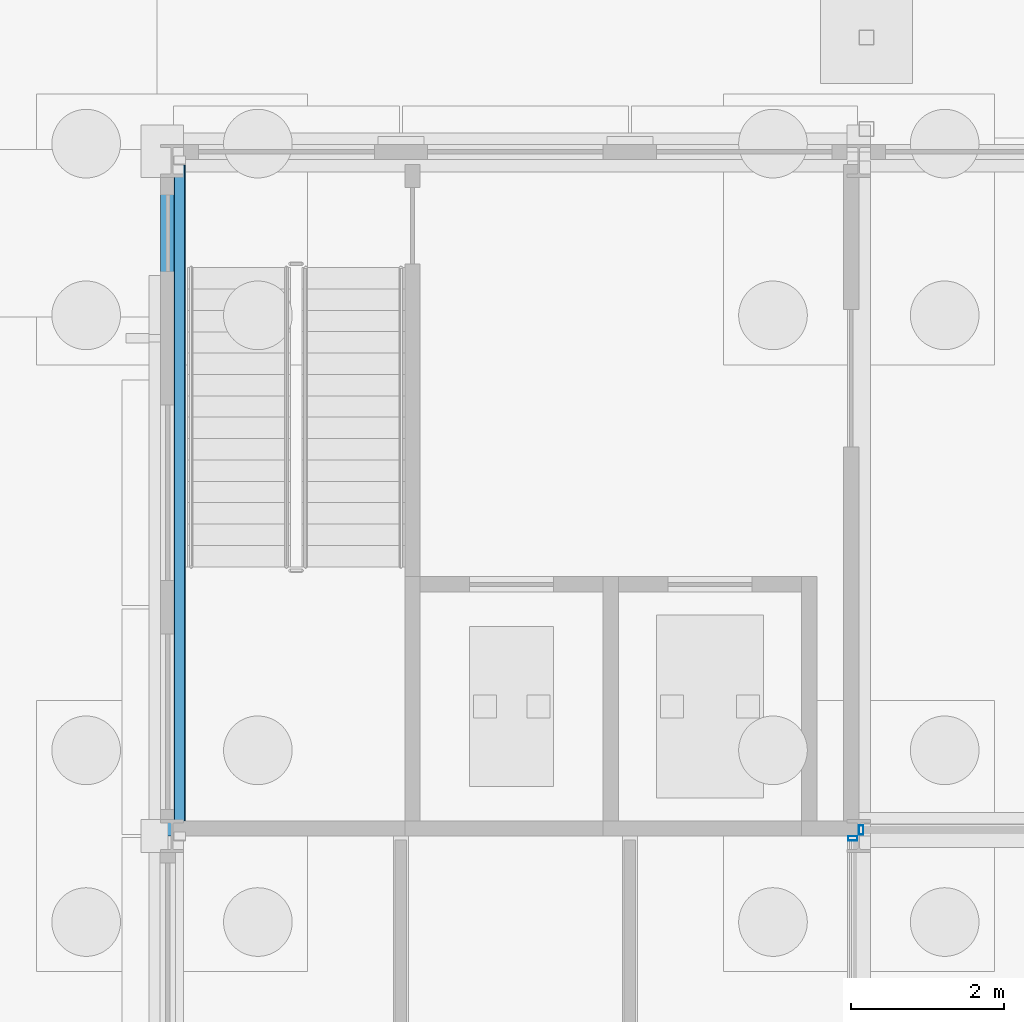
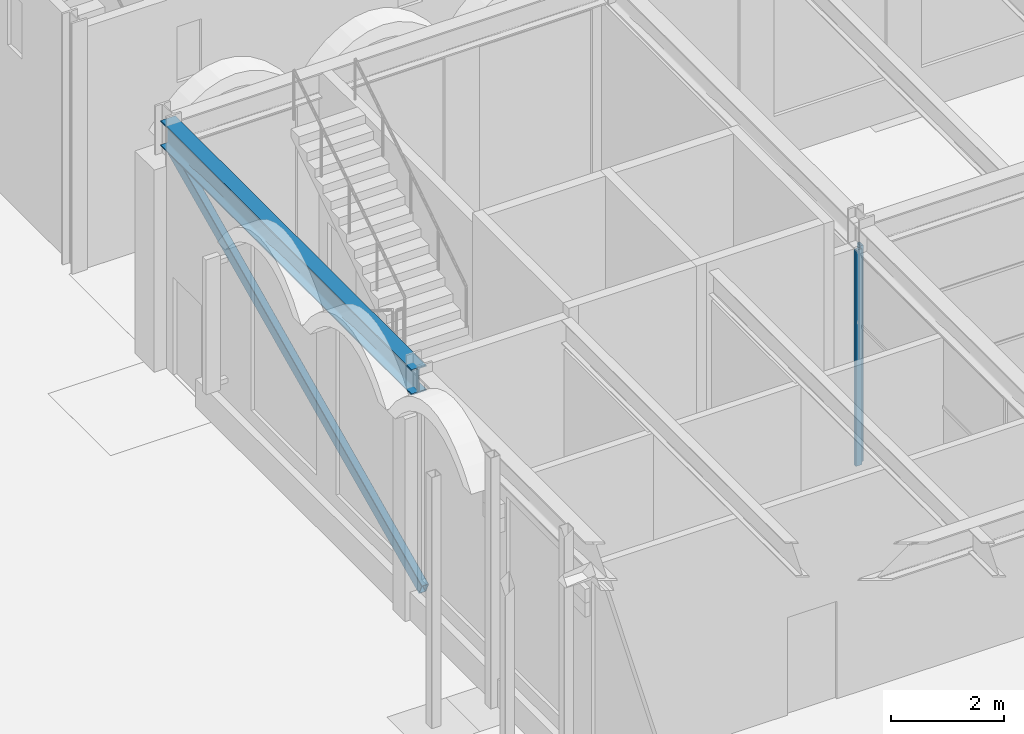
# One storey, part 42 of 126: 3 members, 1 beam, 2 elements without a shape of their own.
"""IFC4 building model written with IfcOpenShell, lengths in metres."""

import ifcopenshell
import ifcopenshell.guid

model = None  # the IFC model being written
_history = None  # IfcOwnerHistory: only IFC2X3 demands one
_inside = {}  # id of a spatial element -> (the spatial element, [elements in it])
_under = {}  # id of a project, library or spatial element -> (it, [spatial elements below it])
_declared = {}  # id of a project -> (the project, [libraries it declares])
_typed = {}  # id of a type object -> (the type object, [elements of that type])
_made_of = {}  # id of a material, layer set ... -> (it, [elements and type objects made of it])


def new_model(schema):
    """Start an empty IFC model of exactly this schema.

    Asked for "IFC4X3", IfcOpenShell would pick the latest addendum, in which some entities
    have other attributes; the version numbers below select the first issue.
    IFC2X3 requires an IfcOwnerHistory on every rooted entity: one is made here for all.
    """
    global model, _history
    if schema == "IFC4X3":
        model = ifcopenshell.file(schema_version=(4, 3, 0, 0))
    else:
        model = ifcopenshell.file(schema=schema)
    _inside.clear()
    _under.clear()
    _declared.clear()
    _typed.clear()
    _made_of.clear()
    _history = None
    if model.schema == "IFC2X3":
        org = make("IfcOrganization", Name="unknown")
        user = make(
            "IfcPersonAndOrganization",
            ThePerson=make("IfcPerson", FamilyName="unknown"),
            TheOrganization=org,
        )
        app = make(
            "IfcApplication",
            ApplicationDeveloper=org,
            Version="unknown",
            ApplicationFullName="unknown",
            ApplicationIdentifier="unknown",
        )
        _history = make(
            "IfcOwnerHistory",
            OwningUser=user,
            OwningApplication=app,
            ChangeAction="ADDED",
            CreationDate=0,
        )
    return model


def make(cls, **values):
    """One entity of the class cls with the attributes given. An attribute that is None is left unset."""
    return model.create_entity(
        cls, **{name: value for name, value in values.items() if value is not None}
    )


def rooted(cls, **values):
    """An entity with a GlobalId (a new one), such as an element, a storey or a relation."""
    return make(cls, GlobalId=ifcopenshell.guid.new(), OwnerHistory=_history, **values)


def si_unit(unit_type, name, prefix=None):
    """IfcSIUnit, for example si_unit("LENGTHUNIT", "METRE", prefix="MILLI")."""
    return make("IfcSIUnit", UnitType=unit_type, Prefix=prefix, Name=name)


def assignment(units):
    """IfcUnitAssignment: the units of a project."""
    return None if units is None else make("IfcUnitAssignment", Units=units)


def point(xyz):
    """IfcCartesianPoint."""
    return None if xyz is None else make("IfcCartesianPoint", Coordinates=xyz)


def direction(xyz):
    """IfcDirection."""
    return None if xyz is None else make("IfcDirection", DirectionRatios=xyz)


def frame(location, z_axis=None, x_axis=None):
    """IfcAxis2Placement3D, a coordinate frame: its origin and axes. An axis left out is left unset."""
    return make(
        "IfcAxis2Placement3D",
        Location=point(location),
        Axis=direction(z_axis),
        RefDirection=direction(x_axis),
    )


def frame_2d(location, x_axis=None):
    """IfcAxis2Placement2D, a coordinate frame in the plane: its origin and x axis."""
    return make(
        "IfcAxis2Placement2D", Location=point(location), RefDirection=direction(x_axis)
    )


def origin():
    """The frame at (0, 0, 0) with its axes left unset."""
    return frame((0.0, 0.0, 0.0))


def origin_2d():
    """The frame at (0, 0) in the plane with its x axis left unset."""
    return frame_2d((0.0, 0.0))


def place(relative_to, where):
    """IfcLocalPlacement: puts the frame where relative to a parent placement (None: the world)."""
    return make(
        "IfcLocalPlacement", PlacementRelTo=relative_to, RelativePlacement=where
    )


def context(
    kind, dimensions, precision=None, world=None, true_north=None, identifier=None
):
    """IfcGeometricRepresentationContext, for example the 3D "Model" context."""
    return make(
        "IfcGeometricRepresentationContext",
        ContextIdentifier=identifier,
        ContextType=kind,
        CoordinateSpaceDimension=dimensions,
        Precision=precision,
        WorldCoordinateSystem=world,
        TrueNorth=true_north,
    )


def subcontext(parent, identifier, kind, view, scale=None):
    """IfcGeometricRepresentationSubContext, for example "Body" below "Model"."""
    return make(
        "IfcGeometricRepresentationSubContext",
        ContextIdentifier=identifier,
        ContextType=kind,
        ParentContext=parent,
        TargetScale=scale,
        TargetView=view,
    )


def project(units=None, contexts=None):
    """IfcProject with its units and contexts."""
    return rooted(
        "IfcProject",
        Name="project",
        RepresentationContexts=contexts,
        UnitsInContext=assignment(units),
    )


def spatial(cls, under=None, at=None, **own):
    """A site, building, storey or space (cls), placed at a placement, below another one or the project."""
    s = rooted(cls, ObjectPlacement=at, **own)
    if under is not None:
        _under.setdefault(under.id(), (under, []))[1].append(s)
    return s


def profile(cls, at=None, kind="AREA", **sizes):
    """A parametric profile (cls). Its sizes go by their IFC names, for example OverallWidth=200.0."""
    return make(cls, ProfileType=kind, Position=at, **sizes)


def hollow_rectangle(**sizes):
    """IfcRectangleHollowProfileDef."""
    return profile("IfcRectangleHollowProfileDef", **sizes)


def i_section(**sizes):
    """IfcIShapeProfileDef."""
    return profile("IfcIShapeProfileDef", **sizes)


def extrude(swept, where, along, depth):
    """IfcExtrudedAreaSolid: the profile swept, set in the frame where, extruded along a direction by depth."""
    return make(
        "IfcExtrudedAreaSolid",
        SweptArea=swept,
        Position=where,
        ExtrudedDirection=direction(along),
        Depth=depth,
    )


def shape(context_of_items, identifier, shape_type, items):
    """IfcShapeRepresentation: the items that make up one representation, for example the "Body"."""
    return make(
        "IfcShapeRepresentation",
        ContextOfItems=context_of_items,
        RepresentationIdentifier=identifier,
        RepresentationType=shape_type,
        Items=items,
    )


def material(Name=None, Category=None):
    """IfcMaterial."""
    return make("IfcMaterial", Name=Name, Category=Category)


def material_profile(
    of_material, cross_section, Name=None, Category=None, Priority=None
):
    """IfcMaterialProfile: a cross section and its material."""
    return make(
        "IfcMaterialProfile",
        Name=Name,
        Material=of_material,
        Profile=cross_section,
        Priority=Priority,
        Category=Category,
    )


def profile_set(profiles, Name=None, composite=None):
    """IfcMaterialProfileSet."""
    return make(
        "IfcMaterialProfileSet",
        Name=Name,
        MaterialProfiles=profiles,
        CompositeProfile=composite,
    )


def made_of(thing, what):
    """Note that an element or type object is made of a material, layer set ...; save() writes the relation."""
    if what is not None:
        _made_of.setdefault(what.id(), (what, []))[1].append(thing)
    return thing


def type_object(cls, material=None, **own):
    """A type object (cls), such as IfcWallType, which elements share."""
    return made_of(rooted(cls, **own), material)


def element(
    cls,
    number,
    at=None,
    inside=None,
    cuts=None,
    type_object=None,
    material=None,
    context=None,
    identifier="Body",
    shape_type=None,
    held_by="IfcProductDefinitionShape",
    body=None,
    shapes=None,
    **own,
):
    """One element of the class cls, such as IfcWall. Its Tag is "e" and its number.

    at: its placement. inside: the storey or other place that contains it. cuts: it is an
    opening in that element (IfcRelVoidsElement). A single representation is given by context,
    identifier, shape_type and body (its items); several are given by shapes. held_by: the class
    of the entity that holds the representations. save() writes the other relations.
    """
    e = rooted(cls, Tag="e%d" % number, ObjectPlacement=at, **own)
    if body is not None:
        shapes = [shape(context, identifier, shape_type, body)]
    if shapes is not None:
        e.Representation = make(held_by, Representations=shapes)
    if inside is not None:
        _inside.setdefault(inside.id(), (inside, []))[1].append(e)
    if cuts is not None:
        rooted(
            "IfcRelVoidsElement", RelatingBuildingElement=cuts, RelatedOpeningElement=e
        )
    if type_object is not None:
        _typed.setdefault(type_object.id(), (type_object, []))[1].append(e)
    return made_of(e, material)


def aggregate(whole, parts):
    """IfcRelAggregates: a whole, such as a stair, and the parts it consists of."""
    return rooted("IfcRelAggregates", RelatingObject=whole, RelatedObjects=parts)


def save(model, path):
    """Write the relations noted so far, then the file.

    IfcRelAggregates (storeys below a building ...), IfcRelContainedInSpatialStructure (elements
    in a storey), IfcRelDefinesByType, IfcRelAssociatesMaterial and IfcRelDeclares: one each for
    every whole, place, type object, material and project.
    """
    for whole, parts in _under.values():
        aggregate(whole, parts)
    for where, things in _inside.values():
        rooted(
            "IfcRelContainedInSpatialStructure",
            RelatedElements=things,
            RelatingStructure=where,
        )
    for kind, things in _typed.values():
        rooted("IfcRelDefinesByType", RelatedObjects=things, RelatingType=kind)
    for what, things in _made_of.values():
        rooted("IfcRelAssociatesMaterial", RelatedObjects=things, RelatingMaterial=what)
    for by, libraries in _declared.values():
        rooted("IfcRelDeclares", RelatingContext=by, RelatedDefinitions=libraries)
    model.write(path)


model = new_model("IFC4")

# Units and contexts
model_context = context("Model", 3, precision=1e-05, world=origin(), true_north=direction((0.0, 1.0)))
body_context = subcontext(model_context, "Body", "Model", "MODEL_VIEW")
ifc_project = project(units=[si_unit("LENGTHUNIT", "METRE"), si_unit("AREAUNIT", "SQUARE_METRE"), si_unit("VOLUMEUNIT", "CUBIC_METRE"), si_unit("PLANEANGLEUNIT", "RADIAN"), si_unit("MASSUNIT", "GRAM", prefix="KILO")], contexts=[model_context])

# Site, building, storey
site_placement = place(None, origin())
site = spatial("IfcSite", under=ifc_project, at=site_placement, CompositionType="ELEMENT")
building_placement = place(site_placement, origin())
building = spatial("IfcBuilding", under=site, at=building_placement, Name="Kallimachos Central Library", CompositionType="ELEMENT")
storey_placement = place(building_placement, origin())
storey = spatial("IfcBuildingStorey", under=building, at=storey_placement, Name="L00", CompositionType="ELEMENT", Elevation=0.0)

# Curtain wall, member
ifc_material_1 = material(Name="Aluminium and laminated glass", Category="aluminium")
curtain_wall_type = type_object("IfcCurtainWallType", Name="Atrium glazed screen", PredefinedType="NOTDEFINED", material=ifc_material_1)
curtain_wall_1_placement = place(storey_placement, origin())
curtain_wall_1 = element("IfcCurtainWall", 1, at=curtain_wall_1_placement, inside=storey, type_object=curtain_wall_type, Name="L00 atrium screen N", PredefinedType="NOTDEFINED")
ifc_material_2 = material(Name="Anodised aluminium", Category="aluminium")
ifc_material_profile_1 = material_profile(ifc_material_2, hollow_rectangle(XDim=0.06005859375, YDim=0.1201171875, WallThickness=0.00390625, at=origin_2d()), Name="ALU MULLION 60x120")
ifc_profile_set_1 = profile_set([ifc_material_profile_1], Name="Anodised aluminium")
member_type_1 = type_object("IfcMemberType", Name="Atrium screen mullion", PredefinedType="MULLION", material=ifc_profile_set_1)
member_1_placement = place(storey_placement, frame((74.530029296875, 75.080078125, 0.0), z_axis=(0.0, 0.0, 1.0), x_axis=(1.0, 0.0, 0.0)))
member_1 = element("IfcMember", 2, at=member_1_placement, type_object=member_type_1, Name="CW mullion 1", PredefinedType="MULLION", context=body_context, shape_type="SweptSolid", body=[
    extrude(hollow_rectangle(XDim=0.06005859375, YDim=0.1201171875, WallThickness=0.00390625, at=origin_2d()), origin(), (0.0, 0.0, 1.0), 4.64990234375),
])
aggregate(curtain_wall_1, [member_1])

curtain_wall_2_placement = place(storey_placement, origin())
curtain_wall_2 = element("IfcCurtainWall", 3, at=curtain_wall_2_placement, inside=storey, type_object=curtain_wall_type, Name="L00 atrium screen W", PredefinedType="NOTDEFINED")
member_2_placement = place(storey_placement, frame((74.419921875, 74.969970703125, 0.0), z_axis=(0.0, 0.0, 1.0), x_axis=(0.0, 1.0, 0.0)))
member_2 = element("IfcMember", 4, at=member_2_placement, type_object=member_type_1, Name="CW mullion 3", PredefinedType="MULLION", context=body_context, shape_type="SweptSolid", body=[
    extrude(hollow_rectangle(XDim=0.06005859375, YDim=0.1201171875, WallThickness=0.00390625, at=origin_2d()), origin(), (0.0, 0.0, 1.0), 4.64990234375),
])
aggregate(curtain_wall_2, [member_2])

# Beam
ifc_material_3 = material(Name="Steel S355J2", Category="steel")
ifc_material_profile_2 = material_profile(ifc_material_3, i_section(OverallWidth=0.300048828125, OverallDepth=0.550048828125, WebThickness=0.014892578125, FlangeThickness=0.029052734375, FilletRadius=0.027099609375, at=origin_2d()), Name="HEB 550")
ifc_profile_set_2 = profile_set([ifc_material_profile_2], Name="Steel S355J2")
beam_type = type_object("IfcBeamType", Name="HEB 550 beam", PredefinedType="BEAM", material=ifc_profile_set_2)
beam_placement = place(storey_placement, frame((65.5, 75.0, 4.925048828125), z_axis=(0.0, 1.0, 0.0), x_axis=(-1.0, 0.0, 0.0)))
element("IfcBeam", 5, at=beam_placement, inside=storey, type_object=beam_type, Name="V4-BEM-L00-009", PredefinedType="BEAM", context=body_context, shape_type="SweptSolid", body=[
    extrude(i_section(OverallWidth=0.300048828125, OverallDepth=0.550048828125, WebThickness=0.014892578125, FlangeThickness=0.029052734375, FilletRadius=0.027099609375, at=origin_2d()), origin(), (0.0, 0.0, 1.0), 8.85009765625),
])

# Member
ifc_material_4 = material(Name="Steel S355J2H", Category="steel")
ifc_material_profile_3 = material_profile(ifc_material_4, hollow_rectangle(XDim=0.14990234375, YDim=0.25, WallThickness=0.010009765625, InnerFilletRadius=0.010009765625, OuterFilletRadius=0.014892578125, at=origin_2d()), Name="RHS 250x150x10")
ifc_profile_set_3 = profile_set([ifc_material_profile_3], Name="Steel S355J2H")
member_type_2 = type_object("IfcMemberType", Name="RHS 250x150x10 brace", PredefinedType="BRACE", material=ifc_profile_set_3)
member_3_placement = place(storey_placement, frame((65.60009765625, 75.0, 0.39990234375), z_axis=(0.0, 0.907356249397, 0.420362506272), x_axis=(-1.0, 0.0, 0.0)))
element("IfcMember", 6, at=member_3_placement, inside=storey, type_object=member_type_2, Name="V4-MEM-L00-001", PredefinedType="BRACE", context=body_context, shape_type="SweptSolid", body=[
    extrude(hollow_rectangle(XDim=0.14990234375, YDim=0.25, WallThickness=0.010009765625, InnerFilletRadius=0.010009765625, OuterFilletRadius=0.014892578125, at=origin_2d()), origin(), (0.0, 0.0, 1.0), 9.753662109375),
])

save(model, "model.ifc")
